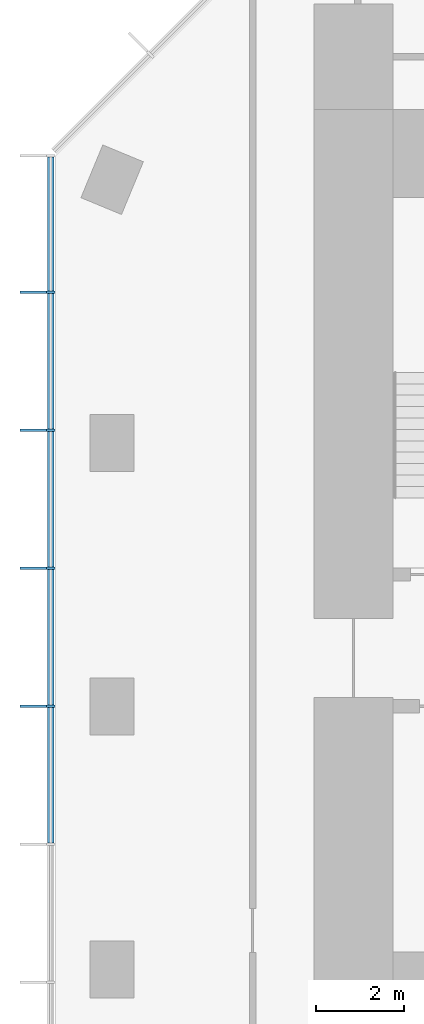
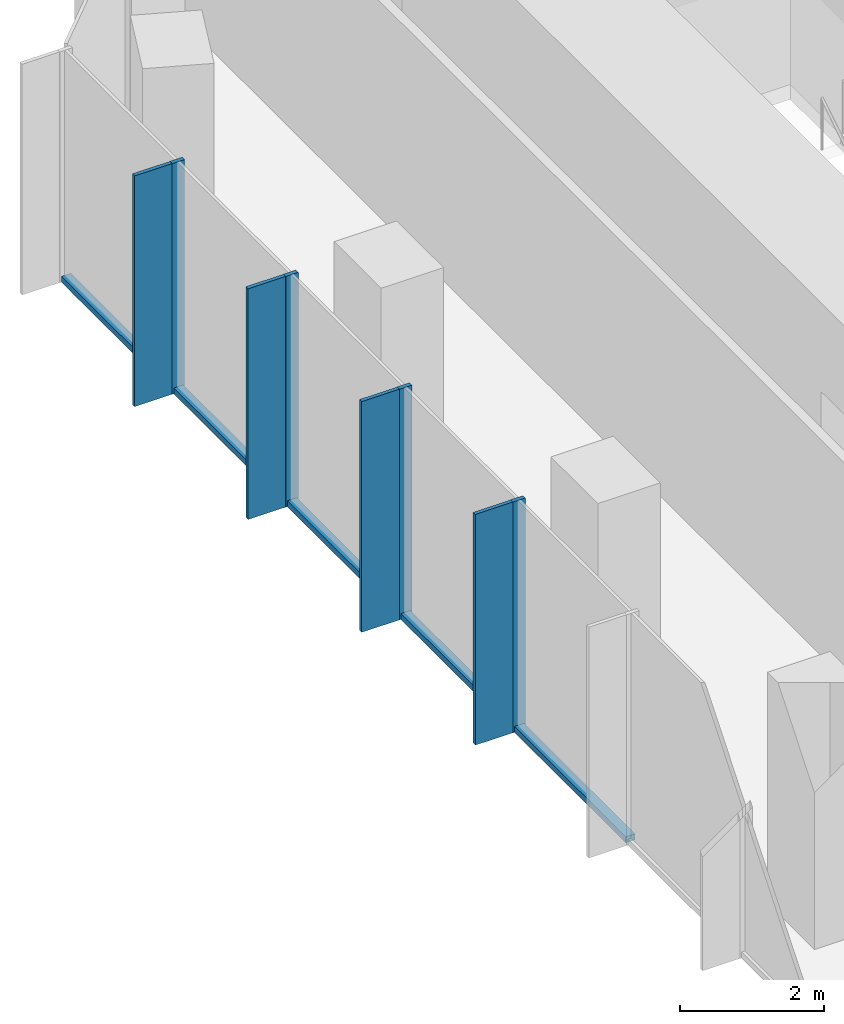
# One storey, part 3 of 11: 13 members, 1 element without a shape of its own.
"""IFC4 building model written with IfcOpenShell, lengths in metres."""

from ifc_helpers import new_model, si_unit, direction, frame, origin, origin_2d, place, context, subcontext, project, spatial, rectangle, extrude, material, layer, layer_set, material_profile, profile_set, type_object, element, aggregate, save


model = new_model("IFC4")

# Units and contexts
model_context = context("Model", 3, precision=1e-05, world=origin(), true_north=direction((0.0, 1.0)))
body_context = subcontext(model_context, "Body", "Model", "MODEL_VIEW")
ifc_project = project(units=[si_unit("LENGTHUNIT", "METRE"), si_unit("AREAUNIT", "SQUARE_METRE"), si_unit("VOLUMEUNIT", "CUBIC_METRE"), si_unit("PLANEANGLEUNIT", "RADIAN"), si_unit("MASSUNIT", "GRAM", prefix="KILO")], contexts=[model_context])

# Site, building, storey
site_placement = place(None, origin())
site = spatial("IfcSite", under=ifc_project, at=site_placement, CompositionType="ELEMENT")
building_placement = place(site_placement, origin())
building = spatial("IfcBuilding", under=site, at=building_placement, Name="Highveld Stack Headquarters", CompositionType="ELEMENT")
storey_placement = place(building_placement, frame((0.0, 0.0, 287.89990234375)))
storey = spatial("IfcBuildingStorey", under=building, at=storey_placement, Name="L71", CompositionType="ELEMENT", Elevation=287.89990234375)

# Curtain wall, members
ifc_material_1 = material(Name="Aluminium bronze anodised", Category="aluminium")
ifc_layer = layer(ifc_material_1, 0.199951171875)
ifc_layer_set = layer_set([ifc_layer], Name="Aluminium bronze anodised")
curtain_wall_type = type_object("IfcCurtainWallType", Name="CW5 EXECUTIVE UNITISED CURTAIN WALL", PredefinedType="NOTDEFINED", material=ifc_layer_set)
curtain_wall_placement = place(storey_placement, origin())
curtain_wall = element("IfcCurtainWall", 1, at=curtain_wall_placement, inside=storey, type_object=curtain_wall_type, Name="Curtain wall CW5 L71 W", PredefinedType="NOTDEFINED")
ifc_material_2 = material(Name="Aluminium bronze anodised", Category="aluminium")
ifc_material_profile_1 = material_profile(ifc_material_2, rectangle(XDim=0.60009765625, YDim=0.06005859375, at=origin_2d()), Name="FIN 600x60")
ifc_profile_set_1 = profile_set([ifc_material_profile_1], Name="Aluminium bronze anodised")
member_type_1 = type_object("IfcMemberType", Name="CW5 BRONZE FIN 600x60", PredefinedType="USERDEFINED", material=ifc_profile_set_1)
member_1_placement = place(storey_placement, frame((-13.800048828125, 9.434814453125, 0.0), z_axis=(0.0, 0.0, 1.0), x_axis=(1.0, 0.0, 0.0)))
member_1 = element("IfcMember", 2, at=member_1_placement, type_object=member_type_1, Name="CW5 fin L71 2", ObjectType="FIN", PredefinedType="USERDEFINED", context=body_context, shape_type="SweptSolid", body=[
    extrude(rectangle(XDim=0.60009765625, YDim=0.06005859375, at=origin_2d()), origin(), (0.0, 0.0, 1.0), 3.900146484375),
])
member_2_placement = place(storey_placement, frame((-13.800048828125, 6.2900390625, 0.0), z_axis=(0.0, 0.0, 1.0), x_axis=(1.0, 0.0, 0.0)))
member_2 = element("IfcMember", 3, at=member_2_placement, type_object=member_type_1, Name="CW5 fin L71 3", ObjectType="FIN", PredefinedType="USERDEFINED", context=body_context, shape_type="SweptSolid", body=[
    extrude(rectangle(XDim=0.60009765625, YDim=0.06005859375, at=origin_2d()), origin(), (0.0, 0.0, 1.0), 3.900146484375),
])
member_3_placement = place(storey_placement, frame((-13.800048828125, 3.14501953125, 0.0), z_axis=(0.0, 0.0, 1.0), x_axis=(1.0, 0.0, 0.0)))
member_3 = element("IfcMember", 4, at=member_3_placement, type_object=member_type_1, Name="CW5 fin L71 4", ObjectType="FIN", PredefinedType="USERDEFINED", context=body_context, shape_type="SweptSolid", body=[
    extrude(rectangle(XDim=0.60009765625, YDim=0.06005859375, at=origin_2d()), origin(), (0.0, 0.0, 1.0), 3.900146484375),
])
member_4_placement = place(storey_placement, frame((-13.800048828125, 0.0, 0.0), z_axis=(0.0, 0.0, 1.0), x_axis=(1.0, 0.0, 0.0)))
member_4 = element("IfcMember", 5, at=member_4_placement, type_object=member_type_1, Name="CW5 fin L71 5", ObjectType="FIN", PredefinedType="USERDEFINED", context=body_context, shape_type="SweptSolid", body=[
    extrude(rectangle(XDim=0.60009765625, YDim=0.06005859375, at=origin_2d()), origin(), (0.0, 0.0, 1.0), 3.900146484375),
])
ifc_material_3 = material(Name="Aluminium bronze anodised", Category="aluminium")
ifc_material_profile_2 = material_profile(ifc_material_3, rectangle(XDim=0.199951171875, YDim=0.06494140625, at=origin_2d()), Name="CW5 MULLION 65x200")
ifc_profile_set_2 = profile_set([ifc_material_profile_2], Name="Aluminium bronze anodised")
member_type_2 = type_object("IfcMemberType", Name="CW5 MULLION 65x200", PredefinedType="MULLION", material=ifc_profile_set_2)
member_5_placement = place(storey_placement, frame((-13.39990234375, 9.434814453125, 0.0), z_axis=(0.0, 0.0, 1.0), x_axis=(1.0, 0.0, 0.0)))
member_5 = element("IfcMember", 6, at=member_5_placement, type_object=member_type_2, Name="CW5 mullion L71 2", PredefinedType="MULLION", context=body_context, shape_type="SweptSolid", body=[
    extrude(rectangle(XDim=0.199951171875, YDim=0.06494140625, at=origin_2d()), origin(), (0.0, 0.0, 1.0), 3.900146484375),
])
member_6_placement = place(storey_placement, frame((-13.39990234375, 6.2900390625, 0.0), z_axis=(0.0, 0.0, 1.0), x_axis=(1.0, 0.0, 0.0)))
member_6 = element("IfcMember", 7, at=member_6_placement, type_object=member_type_2, Name="CW5 mullion L71 3", PredefinedType="MULLION", context=body_context, shape_type="SweptSolid", body=[
    extrude(rectangle(XDim=0.199951171875, YDim=0.06494140625, at=origin_2d()), origin(), (0.0, 0.0, 1.0), 3.900146484375),
])
member_7_placement = place(storey_placement, frame((-13.39990234375, 3.14501953125, 0.0), z_axis=(0.0, 0.0, 1.0), x_axis=(1.0, 0.0, 0.0)))
member_7 = element("IfcMember", 8, at=member_7_placement, type_object=member_type_2, Name="CW5 mullion L71 4", PredefinedType="MULLION", context=body_context, shape_type="SweptSolid", body=[
    extrude(rectangle(XDim=0.199951171875, YDim=0.06494140625, at=origin_2d()), origin(), (0.0, 0.0, 1.0), 3.900146484375),
])
member_8_placement = place(storey_placement, frame((-13.39990234375, 0.0, 0.0), z_axis=(0.0, 0.0, 1.0), x_axis=(1.0, 0.0, 0.0)))
member_8 = element("IfcMember", 9, at=member_8_placement, type_object=member_type_2, Name="CW5 mullion L71 5", PredefinedType="MULLION", context=body_context, shape_type="SweptSolid", body=[
    extrude(rectangle(XDim=0.199951171875, YDim=0.06494140625, at=origin_2d()), origin(), (0.0, 0.0, 1.0), 3.900146484375),
])
ifc_material_4 = material(Name="Aluminium bronze anodised", Category="aluminium")
ifc_material_profile_3 = material_profile(ifc_material_4, rectangle(XDim=0.14990234375, YDim=0.10009765625, at=origin_2d()), Name="CW5 TRANSOM 150x100")
ifc_profile_set_3 = profile_set([ifc_material_profile_3], Name="Aluminium bronze anodised")
member_type_3 = type_object("IfcMemberType", Name="CW5 STACK TRANSOM 150x100", PredefinedType="USERDEFINED", material=ifc_profile_set_3)
member_9_placement = place(storey_placement, frame((-13.39990234375, 12.514892578125, 0.050048828125), z_axis=(0.0, -1.0, 0.0), x_axis=(1.0, 0.0, 0.0)))
member_9 = element("IfcMember", 10, at=member_9_placement, type_object=member_type_3, Name="CW5 transom L71 1.1", ObjectType="TRANSOM", PredefinedType="USERDEFINED", context=body_context, shape_type="SweptSolid", body=[
    extrude(rectangle(XDim=0.14990234375, YDim=0.10009765625, at=origin_2d()), origin(), (0.0, 0.0, 1.0), 3.047607421875),
])
member_10_placement = place(storey_placement, frame((-13.39990234375, 9.40234375, 0.050048828125), z_axis=(0.0, -1.0, 0.0), x_axis=(1.0, 0.0, 0.0)))
member_10 = element("IfcMember", 11, at=member_10_placement, type_object=member_type_3, Name="CW5 transom L71 2.1", ObjectType="TRANSOM", PredefinedType="USERDEFINED", context=body_context, shape_type="SweptSolid", body=[
    extrude(rectangle(XDim=0.14990234375, YDim=0.10009765625, at=origin_2d()), origin(), (0.0, 0.0, 1.0), 3.079833984375),
])
member_11_placement = place(storey_placement, frame((-13.39990234375, 6.257568359375, 0.050048828125), z_axis=(0.0, -1.0, 0.0), x_axis=(1.0, 0.0, 0.0)))
member_11 = element("IfcMember", 12, at=member_11_placement, type_object=member_type_3, Name="CW5 transom L71 3.1", ObjectType="TRANSOM", PredefinedType="USERDEFINED", context=body_context, shape_type="SweptSolid", body=[
    extrude(rectangle(XDim=0.14990234375, YDim=0.10009765625, at=origin_2d()), origin(), (0.0, 0.0, 1.0), 3.080078125),
])
member_12_placement = place(storey_placement, frame((-13.39990234375, 3.112548828125, 0.050048828125), z_axis=(0.0, -1.0, 0.0), x_axis=(1.0, 0.0, 0.0)))
member_12 = element("IfcMember", 13, at=member_12_placement, type_object=member_type_3, Name="CW5 transom L71 4.1", ObjectType="TRANSOM", PredefinedType="USERDEFINED", context=body_context, shape_type="SweptSolid", body=[
    extrude(rectangle(XDim=0.14990234375, YDim=0.10009765625, at=origin_2d()), origin(), (0.0, 0.0, 1.0), 3.080078125),
])
member_13_placement = place(storey_placement, frame((-13.39990234375, -0.032470703125, 0.050048828125), z_axis=(0.0, -1.0, 0.0), x_axis=(1.0, 0.0, 0.0)))
member_13 = element("IfcMember", 14, at=member_13_placement, type_object=member_type_3, Name="CW5 transom L71 5.1", ObjectType="TRANSOM", PredefinedType="USERDEFINED", context=body_context, shape_type="SweptSolid", body=[
    extrude(rectangle(XDim=0.14990234375, YDim=0.10009765625, at=origin_2d()), origin(), (0.0, 0.0, 1.0), 3.080078125),
])
aggregate(curtain_wall, [member_5, member_1, member_6, member_2, member_7, member_3, member_8, member_4, member_9, member_10, member_11, member_12, member_13])

save(model, "model.ifc")
